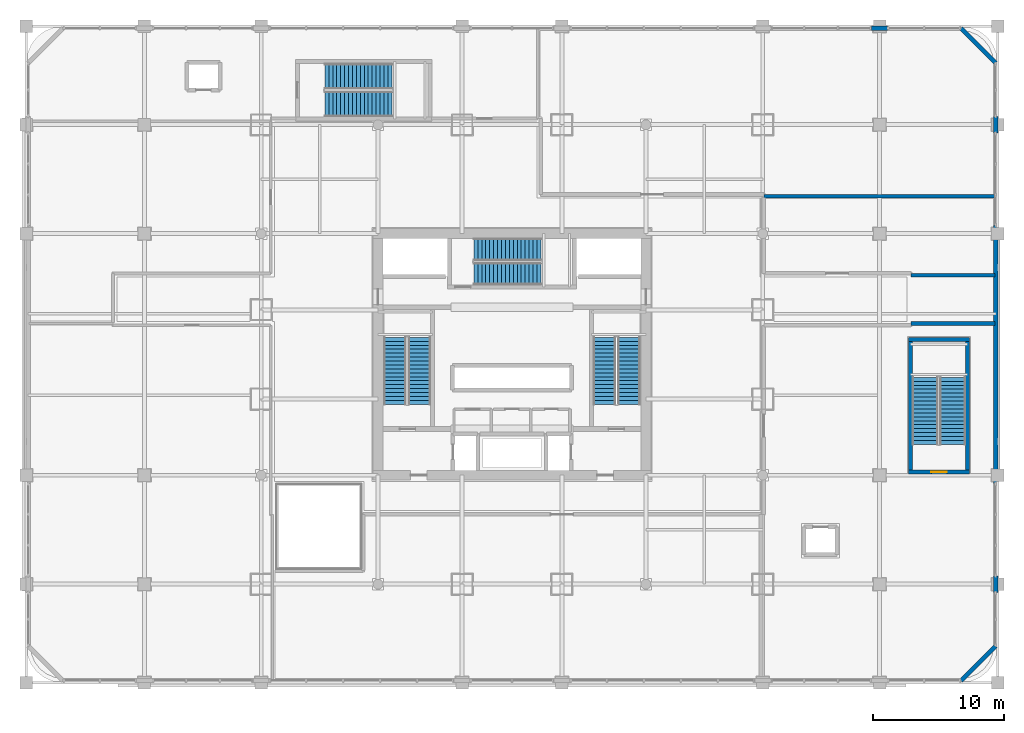
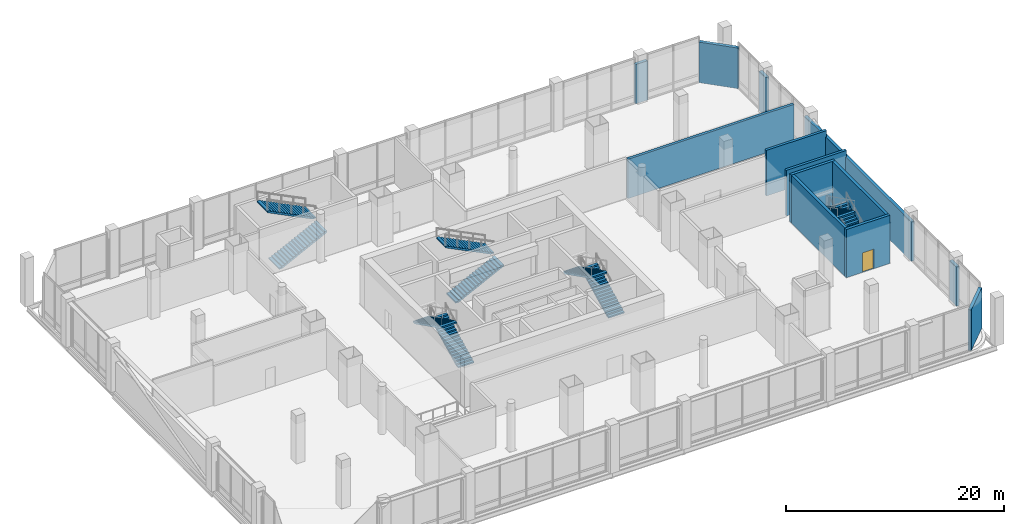
# One storey, part 29 of 39: 13 walls, 10 stair flights, 1 door, 1 opening, 5 elements without a shape of their own.
"""IFC4 building model written with IfcOpenShell, lengths in metres."""

from ifc_helpers import new_model, si_unit, direction, frame, frame_2d, origin, place, context, subcontext, project, spatial, polyline, rectangle, outline, extrude, material, layer, layer_set, type_object, element, fill, aggregate, save


model = new_model("IFC4")

# Units and contexts
model_context = context("Model", 3, precision=1e-05, world=origin(), true_north=direction((0.0, 1.0)))
body_context = subcontext(model_context, "Body", "Model", "MODEL_VIEW")
ifc_project = project(units=[si_unit("LENGTHUNIT", "METRE"), si_unit("AREAUNIT", "SQUARE_METRE"), si_unit("VOLUMEUNIT", "CUBIC_METRE"), si_unit("PLANEANGLEUNIT", "RADIAN"), si_unit("MASSUNIT", "GRAM", prefix="KILO")], contexts=[model_context])

# Site, building, storey
site_placement = place(None, origin())
site = spatial("IfcSite", under=ifc_project, at=site_placement, CompositionType="ELEMENT")
building_placement = place(site_placement, origin())
building = spatial("IfcBuilding", under=site, at=building_placement, Name="Punatoya Terracotta Tower", CompositionType="ELEMENT")
storey_placement = place(building_placement, frame((0.0, 0.0, 11.39990234375)))
storey = spatial("IfcBuildingStorey", under=building, at=storey_placement, Name="L02", CompositionType="ELEMENT", Elevation=11.39990234375)

# Walls
ifc_material_1 = material(Name="Concrete C40/50", Category="concrete")
ifc_layer_1 = layer(ifc_material_1, 0.280029296875)
ifc_layer_set_1 = layer_set([ifc_layer_1], Name="Concrete C40/50")
wall_type_1 = type_object("IfcWallType", Name="WL-AUD-280", PredefinedType="SOLIDWALL", material=ifc_layer_set_1)
wall_1_placement = place(storey_placement, frame((30.3798828125, 2.360107421875, 0.0), z_axis=(0.0, 0.0, 1.0), x_axis=(1.0, 0.0, 0.0)))
element("IfcWall", 1, at=wall_1_placement, inside=storey, type_object=wall_type_1, Name="L02 East Terrace Cafe and Executive Dining Room Partition 18", PredefinedType="SOLIDWALL", context=body_context, shape_type="SweptSolid", body=[
    extrude(rectangle(XDim=6.400146484375, YDim=0.280029296875, at=frame_2d((3.2001953125, 0.0))), origin(), (0.0, 0.0, 1.0), 5.1201171875),
])
wall_2_placement = place(storey_placement, frame((36.780029296875, 12.0400390625, 0.0), z_axis=(0.0, 0.0, 1.0), x_axis=(-1.0, 0.0, 0.0)))
element("IfcWall", 2, at=wall_2_placement, inside=storey, type_object=wall_type_1, Name="L02 North Private Banquet Dining Suite Partition 26", PredefinedType="SOLIDWALL", context=body_context, shape_type="SweptSolid", body=[
    extrude(rectangle(XDim=17.60009765625, YDim=0.280029296875, at=frame_2d((8.800048828125, 0.0))), origin(), (0.0, 0.0, 1.0), 4.4140625),
])
wall_3_placement = place(storey_placement, frame((36.780029296875, 6.0400390625, 0.0), z_axis=(0.0, 0.0, 1.0), x_axis=(-1.0, 0.0, 0.0)))
element("IfcWall", 3, at=wall_3_placement, inside=storey, type_object=wall_type_1, Name="L02 East Private Dining Lounge Partition 29", PredefinedType="SOLIDWALL", context=body_context, shape_type="SweptSolid", body=[
    extrude(rectangle(XDim=6.400146484375, YDim=0.280029296875, at=frame_2d((3.2001953125, 0.0))), origin(), (0.0, 0.0, 1.0), 5.1201171875),
])
ifc_material_2 = material(Name="Precast concrete C40/50", Category="concrete")
ifc_layer_2 = layer(ifc_material_2, 0.320068359375)
ifc_layer_set_2 = layer_set([ifc_layer_2], Name="Precast concrete C40/50")
wall_type_2 = type_object("IfcWallType", Name="WL-EXT-320", PredefinedType="SOLIDWALL", material=ifc_layer_set_2)
wall_4_placement = place(storey_placement, frame((28.6201171875, 24.840087890625, 0.0), z_axis=(0.0, 0.0, 1.0), x_axis=(-1.0, 0.0, 0.0)))
element("IfcWall", 4, at=wall_4_placement, inside=storey, type_object=wall_type_2, Name="L02 North Column Cladding Pier 6", PredefinedType="SOLIDWALL", context=body_context, shape_type="SweptSolid", body=[
    extrude(rectangle(XDim=1.240234375, YDim=0.320068359375, at=frame_2d((0.6201171875, 0.0))), origin(), (0.0, 0.0, 1.0), 4.4140625),
])
wall_5_placement = place(storey_placement, frame((36.840087890625, 9.820068359375, 0.0), z_axis=(0.0, 0.0, 1.0), x_axis=(0.0, -1.0, 0.0)))
element("IfcWall", 5, at=wall_5_placement, inside=storey, type_object=wall_type_2, Name="L02 East Braced Terracotta Shear Wall", PredefinedType="SOLIDWALL", context=body_context, shape_type="SweptSolid", body=[
    extrude(rectangle(XDim=19.64013671875, YDim=0.320068359375, at=frame_2d((9.820068359375, 0.0))), origin(), (0.0, 0.0, 1.0), 4.4140625),
])
for number, where, z_axis, x_axis, name in (
    (6, (36.840087890625, -16.8798828125, 0.0), (0.0, 0.0, 1.0), (0.0, -1.0, 0.0), "L02 East Pier 11-B"),
    (7, (36.840087890625, 18.1201171875, 0.0), (0.0, 0.0, 1.0), (0.0, -1.0, 0.0), "L02 East Pier 11-G"),
):
    element("IfcWall", number, at=place(storey_placement, frame(where, z_axis=z_axis, x_axis=x_axis)), inside=storey, type_object=wall_type_2, Name=name, PredefinedType="SOLIDWALL", context=body_context, shape_type="SweptSolid", body=[
        extrude(rectangle(XDim=1.240234375, YDim=0.320068359375, at=frame_2d((0.6201171875, 0.0))), origin(), (0.0, 0.0, 1.0), 4.4140625),
    ])
for number, where, z_axis, x_axis, name in (
    (8, (34.199951171875, 24.840087890625, 0.0), (0.0, 0.0, 1.0), (0.707106781187, -0.707106781187, 0.0), "L02 Terracotta Corner Pier 3"),
    (9, (36.840087890625, -22.199951171875, 0.0), (0.0, 0.0, 1.0), (-0.707106781187, -0.707106781187, 0.0), "L02 Terracotta Corner Pier 4"),
):
    element("IfcWall", number, at=place(storey_placement, frame(where, z_axis=z_axis, x_axis=x_axis)), inside=storey, type_object=wall_type_2, Name=name, PredefinedType="SOLIDWALL", context=body_context, shape_type="SweptSolid", body=[
        extrude(rectangle(XDim=3.733642578125, YDim=0.320068359375, at=frame_2d((1.86669921875, 0.0))), origin(), (0.0, 0.0, 1.0), 4.564208984375),
    ])

# Wall, opening, door
ifc_layer_3 = layer(ifc_material_1, 0.300048828125)
ifc_layer_set_3 = layer_set([ifc_layer_3], Name="Concrete C40/50")
wall_type_3 = type_object("IfcWallType", Name="WL-SHF-300", PredefinedType="SOLIDWALL", material=ifc_layer_set_3)
wall_6_placement = place(storey_placement, frame((30.199951171875, -8.949951171875, 0.0), z_axis=(0.0, 0.0, 1.0), x_axis=(1.0, 0.0, 0.0)))
wall_6 = element("IfcWall", 10, at=wall_6_placement, inside=storey, type_object=wall_type_3, Name="L02 ST-P2 South Structural Shaft Wall", PredefinedType="SOLIDWALL", context=body_context, shape_type="SweptSolid", body=[
    extrude(rectangle(XDim=4.650146484375, YDim=0.300048828125, at=frame_2d((2.3251953125, 0.0))), origin(), (0.0, 0.0, 1.0), 5.400146484375),
])
opening_placement = place(wall_6_placement, frame((1.735107421875, 0.0, 0.0)))
opening = element("IfcOpeningElement", 11, at=opening_placement, cuts=wall_6, Name="Opening SD-01", PredefinedType="OPENING", context=body_context, shape_type="SweptSolid", body=[
    extrude(rectangle(XDim=1.179931640625, YDim=2.199951171875, at=frame_2d((0.58984375, 1.10009765625))), frame((0.0, 0.159912109375, 0.0), z_axis=(0.0, -1.0, 0.0), x_axis=(1.0, 0.0, 0.0)), (0.0, 0.0, 1.0), 0.320068359375),
])
ifc_material_3 = material(Name="Galvanised Steel Pressurized Stair Fire Door", Category="steel")
door_type = type_object("IfcDoorType", Name="DR-STR-1180", OperationType="NOTDEFINED", PredefinedType="DOOR", material=ifc_material_3)
door_placement = place(opening_placement, origin())
door = element("IfcDoor", 12, at=door_placement, inside=storey, type_object=door_type, Name="L02 Podium Stair ST-P2 Fire Door", OperationType="SINGLE_SWING_RIGHT", OverallHeight=2.199951171875, OverallWidth=1.179931640625, PredefinedType="DOOR", context=body_context, shape_type="SweptSolid", body=[
    extrude(rectangle(XDim=1.179931640625, YDim=2.199951171875, at=frame_2d((0.58984375, 1.10009765625))), frame((0.0, 0.02490234375, 0.0), z_axis=(0.0, -1.0, 0.0), x_axis=(1.0, 0.0, 0.0)), (0.0, 0.0, 1.0), 0.050048828125),
])
fill(opening, door)

# Walls
wall_7_placement = place(storey_placement, frame((34.85009765625, 1.14990234375, 0.0), z_axis=(0.0, 0.0, 1.0), x_axis=(-1.0, 0.0, 0.0)))
element("IfcWall", 13, at=wall_7_placement, inside=storey, type_object=wall_type_3, Name="L02 ST-P2 North Structural Shaft Wall", PredefinedType="SOLIDWALL", context=body_context, shape_type="SweptSolid", body=[
    extrude(rectangle(XDim=4.650146484375, YDim=0.300048828125, at=frame_2d((2.3251953125, 0.0))), origin(), (0.0, 0.0, 1.0), 5.400146484375),
])
for number, where, z_axis, x_axis, name in (
    (14, (30.35009765625, -8.800048828125, 0.0), (0.0, 0.0, 1.0), (0.0, 1.0, 0.0), "L02 ST-P2 West Structural Shaft Wall"),
    (15, (34.699951171875, 1.0, 0.0), (0.0, 0.0, 1.0), (0.0, -1.0, 0.0), "L02 ST-P2 East Structural Shaft Wall"),
):
    element("IfcWall", number, at=place(storey_placement, frame(where, z_axis=z_axis, x_axis=x_axis)), inside=storey, type_object=wall_type_3, Name=name, PredefinedType="SOLIDWALL", context=body_context, shape_type="SweptSolid", body=[
        extrude(rectangle(XDim=9.800048828125, YDim=0.300048828125, at=frame_2d((4.89990234375, 0.0))), origin(), (0.0, 0.0, 1.0), 5.400146484375),
    ])

# Stair, stair flights
stair_type_1 = type_object("IfcStairType", Name="STR-CORE-1550", PredefinedType="HALF_TURN_STAIR", material=ifc_material_1)
stair_1_placement = place(storey_placement, origin())
stair_1 = element("IfcStair", 16, at=stair_1_placement, inside=storey, type_object=stair_type_1, Name="L02 Protected Core Exit Stair ST-1", PredefinedType="HALF_TURN_STAIR")
stair_flight_type_1 = type_object("IfcStairFlightType", Name="SFL-CORE-1550", PredefinedType="STRAIGHT", material=ifc_material_1)
stair_flight_1_placement = place(storey_placement, frame((-7.050048828125, -3.800048828125, 0.0), z_axis=(0.0, 0.0, 1.0), x_axis=(0.0, 1.0, 0.0)))
stair_flight_1 = element("IfcStairFlight", 17, at=stair_flight_1_placement, type_object=stair_flight_type_1, Name="ST-1 flight 1", NumberOfRisers=18, NumberOfTreads=17, PredefinedType="STRAIGHT", RiserHeight=0.15, TreadLength=0.3, context=body_context, shape_type="SweptSolid", body=[
    extrude(outline(polyline([(0.0, 0.0), (0.0, 0.14990234375), (0.300048828125, 0.14990234375), (0.300048828125, 0.300048828125), (0.60009765625, 0.300048828125), (0.60009765625, 0.449951171875), (0.89990234375, 0.449951171875), (0.89990234375, 0.60009765625), (1.199951171875, 0.60009765625), (1.199951171875, 0.75), (1.5, 0.75), (1.5, 0.89990234375), (1.800048828125, 0.89990234375), (1.800048828125, 1.050048828125), (2.10009765625, 1.050048828125), (2.10009765625, 1.199951171875), (2.39990234375, 1.199951171875), (2.39990234375, 1.35009765625), (2.699951171875, 1.35009765625), (2.699951171875, 1.5), (3.0, 1.5), (3.0, 1.64990234375), (3.300048828125, 1.64990234375), (3.300048828125, 1.800048828125), (3.60009765625, 1.800048828125), (3.60009765625, 1.949951171875), (3.89990234375, 1.949951171875), (3.89990234375, 2.10009765625), (4.199951171875, 2.10009765625), (4.199951171875, 2.25), (4.5, 2.25), (4.5, 2.39990234375), (4.800048828125, 2.39990234375), (4.800048828125, 2.550048828125), (5.10009765625, 2.550048828125), (5.10009765625, 2.699951171875), (5.10009765625, 2.38232421875), (0.335205078125, 0.0), (0.0, 0.0)])), frame((0.0, 0.85009765625, 0.0), z_axis=(0.0, -1.0, 0.0), x_axis=(1.0, 0.0, 0.0)), (0.0, 0.0, 1.0), 1.699951171875),
])
stair_flight_2_placement = place(storey_placement, frame((-8.89990234375, 1.300048828125, 2.7001953125), z_axis=(0.0, 0.0, 1.0), x_axis=(0.0, -1.0, 0.0)))
stair_flight_2 = element("IfcStairFlight", 18, at=stair_flight_2_placement, type_object=stair_flight_type_1, Name="ST-1 flight 2", NumberOfRisers=18, NumberOfTreads=17, PredefinedType="STRAIGHT", RiserHeight=0.15, TreadLength=0.3, context=body_context, shape_type="SweptSolid", body=[
    extrude(outline(polyline([(0.0, 0.0), (0.0, 0.14990234375), (0.300048828125, 0.14990234375), (0.300048828125, 0.300048828125), (0.60009765625, 0.300048828125), (0.60009765625, 0.449951171875), (0.89990234375, 0.449951171875), (0.89990234375, 0.60009765625), (1.199951171875, 0.60009765625), (1.199951171875, 0.75), (1.5, 0.75), (1.5, 0.89990234375), (1.800048828125, 0.89990234375), (1.800048828125, 1.050048828125), (2.10009765625, 1.050048828125), (2.10009765625, 1.199951171875), (2.39990234375, 1.199951171875), (2.39990234375, 1.35009765625), (2.699951171875, 1.35009765625), (2.699951171875, 1.5), (3.0, 1.5), (3.0, 1.64990234375), (3.300048828125, 1.64990234375), (3.300048828125, 1.800048828125), (3.60009765625, 1.800048828125), (3.60009765625, 1.949951171875), (3.89990234375, 1.949951171875), (3.89990234375, 2.10009765625), (4.199951171875, 2.10009765625), (4.199951171875, 2.25), (4.5, 2.25), (4.5, 2.39990234375), (4.800048828125, 2.39990234375), (4.800048828125, 2.550048828125), (5.10009765625, 2.550048828125), (5.10009765625, 2.699951171875), (5.10009765625, 2.38232421875), (0.335205078125, 0.0), (0.0, 0.0)])), frame((0.0, 0.85009765625, 0.0), z_axis=(0.0, -1.0, 0.0), x_axis=(1.0, 0.0, 0.0)), (0.0, 0.0, 1.0), 1.699951171875),
])
aggregate(stair_1, [stair_flight_1, stair_flight_2])

stair_type_2 = type_object("IfcStairType", Name="STR-LOB-1650", PredefinedType="HALF_TURN_STAIR", material=ifc_material_1)
stair_2_placement = place(storey_placement, origin())
stair_2 = element("IfcStair", 19, at=stair_2_placement, inside=storey, type_object=stair_type_2, Name="L02 Protected Core Exit Stair ST-2", PredefinedType="HALF_TURN_STAIR")
stair_flight_type_2 = type_object("IfcStairFlightType", Name="SFL-LOB-1650", PredefinedType="STRAIGHT", material=ifc_material_1)
stair_flight_3_placement = place(storey_placement, frame((8.89990234375, -3.800048828125, 0.0), z_axis=(0.0, 0.0, 1.0), x_axis=(0.0, 1.0, 0.0)))
stair_flight_3 = element("IfcStairFlight", 20, at=stair_flight_3_placement, type_object=stair_flight_type_2, Name="ST-2 flight 1", NumberOfRisers=18, NumberOfTreads=17, PredefinedType="STRAIGHT", RiserHeight=0.15, TreadLength=0.3, context=body_context, shape_type="SweptSolid", body=[
    extrude(outline(polyline([(0.0, 0.0), (0.0, 0.14990234375), (0.300048828125, 0.14990234375), (0.300048828125, 0.300048828125), (0.60009765625, 0.300048828125), (0.60009765625, 0.449951171875), (0.89990234375, 0.449951171875), (0.89990234375, 0.60009765625), (1.199951171875, 0.60009765625), (1.199951171875, 0.75), (1.5, 0.75), (1.5, 0.89990234375), (1.800048828125, 0.89990234375), (1.800048828125, 1.050048828125), (2.10009765625, 1.050048828125), (2.10009765625, 1.199951171875), (2.39990234375, 1.199951171875), (2.39990234375, 1.35009765625), (2.699951171875, 1.35009765625), (2.699951171875, 1.5), (3.0, 1.5), (3.0, 1.64990234375), (3.300048828125, 1.64990234375), (3.300048828125, 1.800048828125), (3.60009765625, 1.800048828125), (3.60009765625, 1.949951171875), (3.89990234375, 1.949951171875), (3.89990234375, 2.10009765625), (4.199951171875, 2.10009765625), (4.199951171875, 2.25), (4.5, 2.25), (4.5, 2.39990234375), (4.800048828125, 2.39990234375), (4.800048828125, 2.550048828125), (5.10009765625, 2.550048828125), (5.10009765625, 2.699951171875), (5.10009765625, 2.38232421875), (0.335205078125, 0.0), (0.0, 0.0)])), frame((0.0, 0.85009765625, 0.0), z_axis=(0.0, -1.0, 0.0), x_axis=(1.0, 0.0, 0.0)), (0.0, 0.0, 1.0), 1.699951171875),
])
stair_flight_4_placement = place(storey_placement, frame((7.050048828125, 1.300048828125, 2.7001953125), z_axis=(0.0, 0.0, 1.0), x_axis=(0.0, -1.0, 0.0)))
stair_flight_4 = element("IfcStairFlight", 21, at=stair_flight_4_placement, type_object=stair_flight_type_2, Name="ST-2 flight 2", NumberOfRisers=18, NumberOfTreads=17, PredefinedType="STRAIGHT", RiserHeight=0.15, TreadLength=0.3, context=body_context, shape_type="SweptSolid", body=[
    extrude(outline(polyline([(0.0, 0.0), (0.0, 0.14990234375), (0.300048828125, 0.14990234375), (0.300048828125, 0.300048828125), (0.60009765625, 0.300048828125), (0.60009765625, 0.449951171875), (0.89990234375, 0.449951171875), (0.89990234375, 0.60009765625), (1.199951171875, 0.60009765625), (1.199951171875, 0.75), (1.5, 0.75), (1.5, 0.89990234375), (1.800048828125, 0.89990234375), (1.800048828125, 1.050048828125), (2.10009765625, 1.050048828125), (2.10009765625, 1.199951171875), (2.39990234375, 1.199951171875), (2.39990234375, 1.35009765625), (2.699951171875, 1.35009765625), (2.699951171875, 1.5), (3.0, 1.5), (3.0, 1.64990234375), (3.300048828125, 1.64990234375), (3.300048828125, 1.800048828125), (3.60009765625, 1.800048828125), (3.60009765625, 1.949951171875), (3.89990234375, 1.949951171875), (3.89990234375, 2.10009765625), (4.199951171875, 2.10009765625), (4.199951171875, 2.25), (4.5, 2.25), (4.5, 2.39990234375), (4.800048828125, 2.39990234375), (4.800048828125, 2.550048828125), (5.10009765625, 2.550048828125), (5.10009765625, 2.699951171875), (5.10009765625, 2.38232421875), (0.335205078125, 0.0), (0.0, 0.0)])), frame((0.0, 0.85009765625, 0.0), z_axis=(0.0, -1.0, 0.0), x_axis=(1.0, 0.0, 0.0)), (0.0, 0.0, 1.0), 1.699951171875),
])
aggregate(stair_2, [stair_flight_3, stair_flight_4])

stair_type_3 = type_object("IfcStairType", Name="STR-POD-1800", PredefinedType="HALF_TURN_STAIR", material=ifc_material_1)
stair_3_placement = place(storey_placement, origin())
stair_3 = element("IfcStair", 22, at=stair_3_placement, inside=storey, type_object=stair_type_3, Name="L02 Podium North-West Exit Stair ST-P1", PredefinedType="HALF_TURN_STAIR")
stair_flight_type_3 = type_object("IfcStairFlightType", Name="SFL-POD-1800", PredefinedType="STRAIGHT", material=ifc_material_1)
stair_flight_5_placement = place(storey_placement, frame((-14.25, 19.074951171875, 0.0), z_axis=(0.0, 0.0, 1.0), x_axis=(1.0, 0.0, 0.0)))
stair_flight_5 = element("IfcStairFlight", 23, at=stair_flight_5_placement, type_object=stair_flight_type_3, Name="ST-P1 flight 1", NumberOfRisers=18, NumberOfTreads=17, PredefinedType="STRAIGHT", RiserHeight=0.15, TreadLength=0.3, context=body_context, shape_type="SweptSolid", body=[
    extrude(outline(polyline([(0.0, 0.0), (0.0, 0.14990234375), (0.300048828125, 0.14990234375), (0.300048828125, 0.300048828125), (0.60009765625, 0.300048828125), (0.60009765625, 0.449951171875), (0.89990234375, 0.449951171875), (0.89990234375, 0.60009765625), (1.199951171875, 0.60009765625), (1.199951171875, 0.75), (1.5, 0.75), (1.5, 0.89990234375), (1.800048828125, 0.89990234375), (1.800048828125, 1.050048828125), (2.10009765625, 1.050048828125), (2.10009765625, 1.199951171875), (2.39990234375, 1.199951171875), (2.39990234375, 1.35009765625), (2.699951171875, 1.35009765625), (2.699951171875, 1.5), (3.0, 1.5), (3.0, 1.64990234375), (3.300048828125, 1.64990234375), (3.300048828125, 1.800048828125), (3.60009765625, 1.800048828125), (3.60009765625, 1.949951171875), (3.89990234375, 1.949951171875), (3.89990234375, 2.10009765625), (4.199951171875, 2.10009765625), (4.199951171875, 2.25), (4.5, 2.25), (4.5, 2.39990234375), (4.800048828125, 2.39990234375), (4.800048828125, 2.550048828125), (5.10009765625, 2.550048828125), (5.10009765625, 2.699951171875), (5.10009765625, 2.38232421875), (0.335205078125, 0.0), (0.0, 0.0)])), frame((0.0, 0.97509765625, 0.0), z_axis=(0.0, -1.0, 0.0), x_axis=(1.0, 0.0, 0.0)), (0.0, 0.0, 1.0), 1.949951171875),
])
stair_flight_6_placement = place(storey_placement, frame((-9.14990234375, 21.175048828125, 2.7001953125), z_axis=(0.0, 0.0, 1.0), x_axis=(-1.0, 0.0, 0.0)))
stair_flight_6 = element("IfcStairFlight", 24, at=stair_flight_6_placement, type_object=stair_flight_type_3, Name="ST-P1 flight 2", NumberOfRisers=18, NumberOfTreads=17, PredefinedType="STRAIGHT", RiserHeight=0.15, TreadLength=0.3, context=body_context, shape_type="SweptSolid", body=[
    extrude(outline(polyline([(0.0, 0.0), (0.0, 0.14990234375), (0.300048828125, 0.14990234375), (0.300048828125, 0.300048828125), (0.60009765625, 0.300048828125), (0.60009765625, 0.449951171875), (0.89990234375, 0.449951171875), (0.89990234375, 0.60009765625), (1.199951171875, 0.60009765625), (1.199951171875, 0.75), (1.5, 0.75), (1.5, 0.89990234375), (1.800048828125, 0.89990234375), (1.800048828125, 1.050048828125), (2.10009765625, 1.050048828125), (2.10009765625, 1.199951171875), (2.39990234375, 1.199951171875), (2.39990234375, 1.35009765625), (2.699951171875, 1.35009765625), (2.699951171875, 1.5), (3.0, 1.5), (3.0, 1.64990234375), (3.300048828125, 1.64990234375), (3.300048828125, 1.800048828125), (3.60009765625, 1.800048828125), (3.60009765625, 1.949951171875), (3.89990234375, 1.949951171875), (3.89990234375, 2.10009765625), (4.199951171875, 2.10009765625), (4.199951171875, 2.25), (4.5, 2.25), (4.5, 2.39990234375), (4.800048828125, 2.39990234375), (4.800048828125, 2.550048828125), (5.10009765625, 2.550048828125), (5.10009765625, 2.699951171875), (5.10009765625, 2.38232421875), (0.335205078125, 0.0), (0.0, 0.0)])), frame((0.0, 0.97509765625, 0.0), z_axis=(0.0, -1.0, 0.0), x_axis=(1.0, 0.0, 0.0)), (0.0, 0.0, 1.0), 1.949951171875),
])
aggregate(stair_3, [stair_flight_5, stair_flight_6])

stair_4_placement = place(storey_placement, origin())
stair_4 = element("IfcStair", 25, at=stair_4_placement, inside=storey, type_object=stair_type_3, Name="L02 Podium East Exit Stair ST-P2", PredefinedType="HALF_TURN_STAIR")
stair_flight_7_placement = place(storey_placement, frame((33.574951171875, -6.85009765625, 0.0), z_axis=(0.0, 0.0, 1.0), x_axis=(0.0, 1.0, 0.0)))
stair_flight_7 = element("IfcStairFlight", 26, at=stair_flight_7_placement, type_object=stair_flight_type_3, Name="ST-P2 flight 1", NumberOfRisers=18, NumberOfTreads=17, PredefinedType="STRAIGHT", RiserHeight=0.15, TreadLength=0.3, context=body_context, shape_type="SweptSolid", body=[
    extrude(outline(polyline([(0.0, 0.0), (0.0, 0.14990234375), (0.300048828125, 0.14990234375), (0.300048828125, 0.300048828125), (0.60009765625, 0.300048828125), (0.60009765625, 0.449951171875), (0.89990234375, 0.449951171875), (0.89990234375, 0.60009765625), (1.199951171875, 0.60009765625), (1.199951171875, 0.75), (1.5, 0.75), (1.5, 0.89990234375), (1.800048828125, 0.89990234375), (1.800048828125, 1.050048828125), (2.10009765625, 1.050048828125), (2.10009765625, 1.199951171875), (2.39990234375, 1.199951171875), (2.39990234375, 1.35009765625), (2.699951171875, 1.35009765625), (2.699951171875, 1.5), (3.0, 1.5), (3.0, 1.64990234375), (3.300048828125, 1.64990234375), (3.300048828125, 1.800048828125), (3.60009765625, 1.800048828125), (3.60009765625, 1.949951171875), (3.89990234375, 1.949951171875), (3.89990234375, 2.10009765625), (4.199951171875, 2.10009765625), (4.199951171875, 2.25), (4.5, 2.25), (4.5, 2.39990234375), (4.800048828125, 2.39990234375), (4.800048828125, 2.550048828125), (5.10009765625, 2.550048828125), (5.10009765625, 2.699951171875), (5.10009765625, 2.38232421875), (0.335205078125, 0.0), (0.0, 0.0)])), frame((0.0, 0.97509765625, 0.0), z_axis=(0.0, -1.0, 0.0), x_axis=(1.0, 0.0, 0.0)), (0.0, 0.0, 1.0), 1.949951171875),
])
stair_flight_8_placement = place(storey_placement, frame((31.47509765625, -1.75, 2.7001953125), z_axis=(0.0, 0.0, 1.0), x_axis=(0.0, -1.0, 0.0)))
stair_flight_8 = element("IfcStairFlight", 27, at=stair_flight_8_placement, type_object=stair_flight_type_3, Name="ST-P2 flight 2", NumberOfRisers=18, NumberOfTreads=17, PredefinedType="STRAIGHT", RiserHeight=0.15, TreadLength=0.3, context=body_context, shape_type="SweptSolid", body=[
    extrude(outline(polyline([(0.0, 0.0), (0.0, 0.14990234375), (0.300048828125, 0.14990234375), (0.300048828125, 0.300048828125), (0.60009765625, 0.300048828125), (0.60009765625, 0.449951171875), (0.89990234375, 0.449951171875), (0.89990234375, 0.60009765625), (1.199951171875, 0.60009765625), (1.199951171875, 0.75), (1.5, 0.75), (1.5, 0.89990234375), (1.800048828125, 0.89990234375), (1.800048828125, 1.050048828125), (2.10009765625, 1.050048828125), (2.10009765625, 1.199951171875), (2.39990234375, 1.199951171875), (2.39990234375, 1.35009765625), (2.699951171875, 1.35009765625), (2.699951171875, 1.5), (3.0, 1.5), (3.0, 1.64990234375), (3.300048828125, 1.64990234375), (3.300048828125, 1.800048828125), (3.60009765625, 1.800048828125), (3.60009765625, 1.949951171875), (3.89990234375, 1.949951171875), (3.89990234375, 2.10009765625), (4.199951171875, 2.10009765625), (4.199951171875, 2.25), (4.5, 2.25), (4.5, 2.39990234375), (4.800048828125, 2.39990234375), (4.800048828125, 2.550048828125), (5.10009765625, 2.550048828125), (5.10009765625, 2.699951171875), (5.10009765625, 2.38232421875), (0.335205078125, 0.0), (0.0, 0.0)])), frame((0.0, 0.97509765625, 0.0), z_axis=(0.0, -1.0, 0.0), x_axis=(1.0, 0.0, 0.0)), (0.0, 0.0, 1.0), 1.949951171875),
])
aggregate(stair_4, [stair_flight_7, stair_flight_8])

stair_type_4 = type_object("IfcStairType", Name="STR-TER-1450", PredefinedType="HALF_TURN_STAIR", material=ifc_material_1)
stair_5_placement = place(storey_placement, origin())
stair_5 = element("IfcStair", 28, at=stair_5_placement, inside=storey, type_object=stair_type_4, Name="L02 Protected Core Exit Stair ST-3", PredefinedType="HALF_TURN_STAIR")
stair_flight_type_4 = type_object("IfcStairFlightType", Name="SFL-TER-1450", PredefinedType="STRAIGHT", material=ifc_material_1)
stair_flight_9_placement = place(storey_placement, frame((-2.89990234375, 6.14990234375, 0.0), z_axis=(0.0, 0.0, 1.0), x_axis=(1.0, 0.0, 0.0)))
stair_flight_9 = element("IfcStairFlight", 29, at=stair_flight_9_placement, type_object=stair_flight_type_4, Name="ST-3 flight 1", NumberOfRisers=18, NumberOfTreads=17, PredefinedType="STRAIGHT", RiserHeight=0.15, TreadLength=0.3, context=body_context, shape_type="SweptSolid", body=[
    extrude(outline(polyline([(0.0, 0.0), (0.0, 0.14990234375), (0.300048828125, 0.14990234375), (0.300048828125, 0.300048828125), (0.60009765625, 0.300048828125), (0.60009765625, 0.449951171875), (0.89990234375, 0.449951171875), (0.89990234375, 0.60009765625), (1.199951171875, 0.60009765625), (1.199951171875, 0.75), (1.5, 0.75), (1.5, 0.89990234375), (1.800048828125, 0.89990234375), (1.800048828125, 1.050048828125), (2.10009765625, 1.050048828125), (2.10009765625, 1.199951171875), (2.39990234375, 1.199951171875), (2.39990234375, 1.35009765625), (2.699951171875, 1.35009765625), (2.699951171875, 1.5), (3.0, 1.5), (3.0, 1.64990234375), (3.300048828125, 1.64990234375), (3.300048828125, 1.800048828125), (3.60009765625, 1.800048828125), (3.60009765625, 1.949951171875), (3.89990234375, 1.949951171875), (3.89990234375, 2.10009765625), (4.199951171875, 2.10009765625), (4.199951171875, 2.25), (4.5, 2.25), (4.5, 2.39990234375), (4.800048828125, 2.39990234375), (4.800048828125, 2.550048828125), (5.10009765625, 2.550048828125), (5.10009765625, 2.699951171875), (5.10009765625, 2.38232421875), (0.335205078125, 0.0), (0.0, 0.0)])), frame((0.0, 0.85009765625, 0.0), z_axis=(0.0, -1.0, 0.0), x_axis=(1.0, 0.0, 0.0)), (0.0, 0.0, 1.0), 1.699951171875),
])
stair_flight_10_placement = place(storey_placement, frame((2.199951171875, 8.0, 2.7001953125), z_axis=(0.0, 0.0, 1.0), x_axis=(-1.0, 0.0, 0.0)))
stair_flight_10 = element("IfcStairFlight", 30, at=stair_flight_10_placement, type_object=stair_flight_type_4, Name="ST-3 flight 2", NumberOfRisers=18, NumberOfTreads=17, PredefinedType="STRAIGHT", RiserHeight=0.15, TreadLength=0.3, context=body_context, shape_type="SweptSolid", body=[
    extrude(outline(polyline([(0.0, 0.0), (0.0, 0.14990234375), (0.300048828125, 0.14990234375), (0.300048828125, 0.300048828125), (0.60009765625, 0.300048828125), (0.60009765625, 0.449951171875), (0.89990234375, 0.449951171875), (0.89990234375, 0.60009765625), (1.199951171875, 0.60009765625), (1.199951171875, 0.75), (1.5, 0.75), (1.5, 0.89990234375), (1.800048828125, 0.89990234375), (1.800048828125, 1.050048828125), (2.10009765625, 1.050048828125), (2.10009765625, 1.199951171875), (2.39990234375, 1.199951171875), (2.39990234375, 1.35009765625), (2.699951171875, 1.35009765625), (2.699951171875, 1.5), (3.0, 1.5), (3.0, 1.64990234375), (3.300048828125, 1.64990234375), (3.300048828125, 1.800048828125), (3.60009765625, 1.800048828125), (3.60009765625, 1.949951171875), (3.89990234375, 1.949951171875), (3.89990234375, 2.10009765625), (4.199951171875, 2.10009765625), (4.199951171875, 2.25), (4.5, 2.25), (4.5, 2.39990234375), (4.800048828125, 2.39990234375), (4.800048828125, 2.550048828125), (5.10009765625, 2.550048828125), (5.10009765625, 2.699951171875), (5.10009765625, 2.38232421875), (0.335205078125, 0.0), (0.0, 0.0)])), frame((0.0, 0.85009765625, 0.0), z_axis=(0.0, -1.0, 0.0), x_axis=(1.0, 0.0, 0.0)), (0.0, 0.0, 1.0), 1.699951171875),
])
aggregate(stair_5, [stair_flight_9, stair_flight_10])

save(model, "model.ifc")
